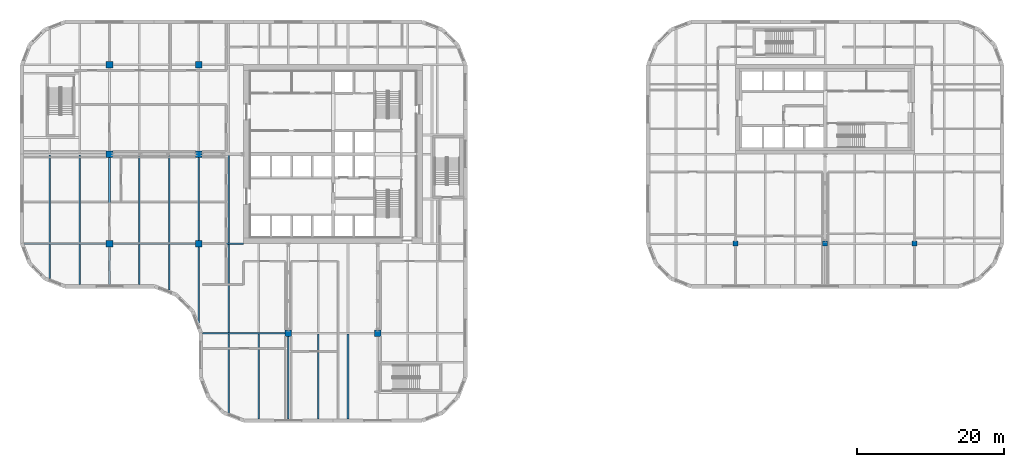
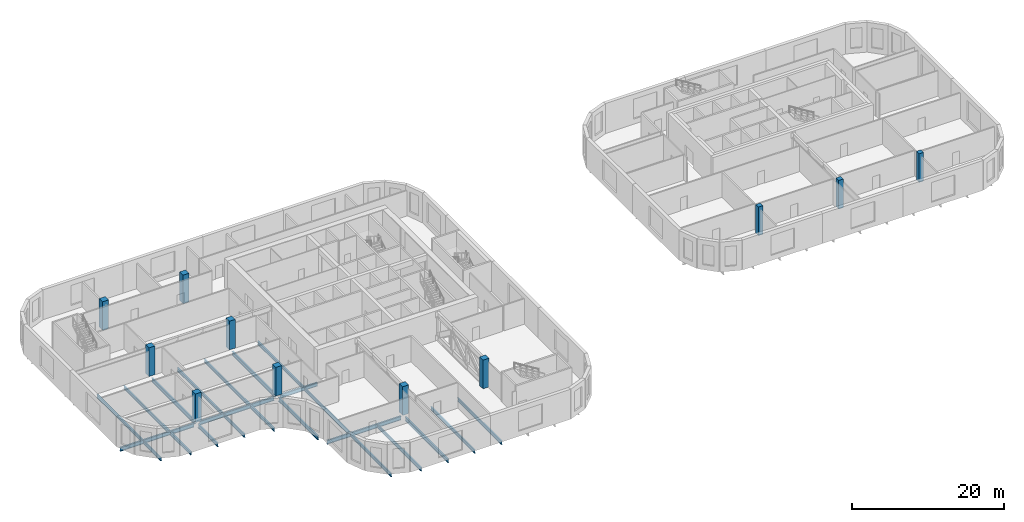
# One storey, part 1 of 21: 23 beams, 11 columns.
"""IFC4 building model written with IfcOpenShell, lengths in metres."""

from ifc_helpers import new_model, si_unit, direction, frame, origin, origin_2d, place, context, subcontext, project, spatial, rectangle, i_section, extrude, material, material_profile, profile_set, type_object, element, save


model = new_model("IFC4")

# Units and contexts
model_context = context("Model", 3, precision=1e-05, world=origin(), true_north=direction((0.0, 1.0)))
body_context = subcontext(model_context, "Body", "Model", "MODEL_VIEW")
ifc_project = project(units=[si_unit("LENGTHUNIT", "METRE"), si_unit("AREAUNIT", "SQUARE_METRE"), si_unit("VOLUMEUNIT", "CUBIC_METRE"), si_unit("PLANEANGLEUNIT", "RADIAN"), si_unit("MASSUNIT", "GRAM", prefix="KILO")], contexts=[model_context])

# Site, building, storey
site_placement = place(None, origin())
site = spatial("IfcSite", under=ifc_project, at=site_placement, CompositionType="ELEMENT")
building_placement = place(site_placement, origin())
building = spatial("IfcBuilding", under=site, at=building_placement, Name="Tessera Gate Towers", CompositionType="ELEMENT")
storey_placement = place(building_placement, frame((0.0, 0.0, 63.800048828125)))
storey = spatial("IfcBuildingStorey", under=building, at=storey_placement, Name="L15", CompositionType="ELEMENT", Elevation=63.800048828125)

# Columns
ifc_material_1 = material(Name="Concrete C70/85", Category="concrete")
ifc_material_profile_1 = material_profile(ifc_material_1, rectangle(XDim=0.699951171875, YDim=0.699951171875, at=origin_2d()), Name="RC 700x700")
ifc_profile_set_1 = profile_set([ifc_material_profile_1], Name="Concrete C70/85")
column_type_1 = type_object("IfcColumnType", Name="COLUMN RC 700x700", PredefinedType="COLUMN", material=ifc_profile_set_1)
for number, where, z_axis, x_axis, name in (
    (1, (97.60009765625, 24.39990234375, 0.0), (0.0, 0.0, 1.0), (1.0, 0.0, 0.0), "T2-COL-9C-L15"),
    (2, (109.800048828125, 24.39990234375, 0.0), (0.0, 0.0, 1.0), (1.0, 0.0, 0.0), "T2-COL-10C-L15"),
    (3, (122.0, 24.39990234375, 0.0), (0.0, 0.0, 1.0), (1.0, 0.0, 0.0), "T2-COL-11C-L15"),
):
    element("IfcColumn", number, at=place(storey_placement, frame(where, z_axis=z_axis, x_axis=x_axis)), inside=storey, type_object=column_type_1, Name=name, PredefinedType="COLUMN", context=body_context, shape_type="SweptSolid", body=[
        extrude(rectangle(XDim=0.699951171875, YDim=0.699951171875, at=origin_2d()), origin(), (0.0, 0.0, 1.0), 4.599853515625),
    ])
ifc_material_2 = material(Name="Concrete C70/85", Category="concrete")
ifc_material_profile_2 = material_profile(ifc_material_2, rectangle(XDim=0.89990234375, YDim=0.89990234375, at=origin_2d()), Name="RC 900x900")
ifc_profile_set_2 = profile_set([ifc_material_profile_2], Name="Concrete C70/85")
column_type_2 = type_object("IfcColumnType", Name="COLUMN RC 900x900", PredefinedType="COLUMN", material=ifc_profile_set_2)
for number, where, z_axis, x_axis, name in (
    (4, (12.199951171875, 24.39990234375, 0.0), (0.0, 0.0, 1.0), (1.0, 0.0, 0.0), "T1-COL-2C-L15"),
    (5, (12.199951171875, 36.60009765625, 0.0), (0.0, 0.0, 1.0), (1.0, 0.0, 0.0), "T1-COL-2D-L15"),
    (6, (12.199951171875, 48.800048828125, 0.0), (0.0, 0.0, 1.0), (1.0, 0.0, 0.0), "T1-COL-2E-L15"),
    (7, (24.39990234375, 24.39990234375, 0.0), (0.0, 0.0, 1.0), (1.0, 0.0, 0.0), "T1-COL-3C-L15"),
    (8, (24.39990234375, 36.60009765625, 0.0), (0.0, 0.0, 1.0), (1.0, 0.0, 0.0), "T1-COL-3D-L15"),
    (9, (24.39990234375, 48.800048828125, 0.0), (0.0, 0.0, 1.0), (1.0, 0.0, 0.0), "T1-COL-3E-L15"),
    (10, (36.60009765625, 12.199951171875, 0.0), (0.0, 0.0, 1.0), (1.0, 0.0, 0.0), "T1-COL-4B-L15"),
    (11, (48.800048828125, 12.199951171875, 0.0), (0.0, 0.0, 1.0), (1.0, 0.0, 0.0), "T1-COL-5B-L15"),
):
    element("IfcColumn", number, at=place(storey_placement, frame(where, z_axis=z_axis, x_axis=x_axis)), inside=storey, type_object=column_type_2, Name=name, PredefinedType="COLUMN", context=body_context, shape_type="SweptSolid", body=[
        extrude(rectangle(XDim=0.89990234375, YDim=0.89990234375, at=origin_2d()), origin(), (0.0, 0.0, 1.0), 4.599853515625),
    ])

# Beams
ifc_material_3 = material(Name="Steel 350W", Category="steel")
ifc_material_profile_3 = material_profile(ifc_material_3, i_section(OverallWidth=0.22900390625, OverallDepth=0.612060546875, WebThickness=0.011962890625, FlangeThickness=0.01953125, at=origin_2d()), Name="W610x125")
ifc_profile_set_3 = profile_set([ifc_material_profile_3], Name="Steel 350W")
beam_type_1 = type_object("IfcBeamType", Name="FLOOR GIRDER W610x125", PredefinedType="BEAM", material=ifc_profile_set_3)
beam_1_placement = place(storey_placement, frame((24.89892578125, 12.199951171875, -0.60595703125), z_axis=(1.0, 0.0, 0.0), x_axis=(0.0, 1.0, 0.0)))
element("IfcBeam", 12, at=beam_1_placement, inside=storey, type_object=beam_type_1, Name="T1-GD-L15-2109", PredefinedType="BEAM", context=body_context, shape_type="SweptSolid", body=[
    extrude(i_section(OverallWidth=0.22900390625, OverallDepth=0.612060546875, WebThickness=0.011962890625, FlangeThickness=0.01953125, at=origin_2d()), origin(), (0.0, 0.0, 1.0), 11.2509765625),
])
beam_2_placement = place(storey_placement, frame((0.534912109375, 24.39990234375, -0.60595703125), z_axis=(1.0, 0.0, 0.0), x_axis=(0.0, 1.0, 0.0)))
element("IfcBeam", 13, at=beam_2_placement, inside=storey, type_object=beam_type_1, Name="T1-GD-L15-2112", PredefinedType="BEAM", context=body_context, shape_type="SweptSolid", body=[
    extrude(i_section(OverallWidth=0.22900390625, OverallDepth=0.612060546875, WebThickness=0.011962890625, FlangeThickness=0.01953125, at=origin_2d()), origin(), (0.0, 0.0, 1.0), 11.215087890625),
])
beam_3_placement = place(storey_placement, frame((12.64990234375, 24.39990234375, -0.60595703125), z_axis=(1.0, 0.0, 0.0), x_axis=(0.0, 1.0, 0.0)))
element("IfcBeam", 14, at=beam_3_placement, inside=storey, type_object=beam_type_1, Name="T1-GD-L15-2113", PredefinedType="BEAM", context=body_context, shape_type="SweptSolid", body=[
    extrude(i_section(OverallWidth=0.22900390625, OverallDepth=0.612060546875, WebThickness=0.011962890625, FlangeThickness=0.01953125, at=origin_2d()), origin(), (0.0, 0.0, 1.0), 11.300048828125),
])
beam_4_placement = place(storey_placement, frame((24.85009765625, 24.39990234375, -0.60595703125), z_axis=(1.0, 0.0, 0.0), x_axis=(0.0, 1.0, 0.0)))
element("IfcBeam", 15, at=beam_4_placement, inside=storey, type_object=beam_type_1, Name="T1-GD-L15-2114", PredefinedType="BEAM", context=body_context, shape_type="SweptSolid", body=[
    extrude(i_section(OverallWidth=0.22900390625, OverallDepth=0.612060546875, WebThickness=0.011962890625, FlangeThickness=0.01953125, at=origin_2d()), origin(), (0.0, 0.0, 1.0), 5.64892578125),
])
beam_5_placement = place(storey_placement, frame((12.199951171875, 18.799072265625, -0.60595703125), z_axis=(0.0, 1.0, 0.0), x_axis=(-1.0, 0.0, 0.0)))
element("IfcBeam", 16, at=beam_5_placement, inside=storey, type_object=beam_type_1, Name="T1-GD-L15-2124", PredefinedType="BEAM", context=body_context, shape_type="SweptSolid", body=[
    extrude(i_section(OverallWidth=0.22900390625, OverallDepth=0.612060546875, WebThickness=0.011962890625, FlangeThickness=0.01953125, at=origin_2d()), origin(), (0.0, 0.0, 1.0), 5.15087890625),
])
beam_6_placement = place(storey_placement, frame((12.199951171875, 24.85009765625, -0.60595703125), z_axis=(0.0, 1.0, 0.0), x_axis=(-1.0, 0.0, 0.0)))
element("IfcBeam", 17, at=beam_6_placement, inside=storey, type_object=beam_type_1, Name="T1-GD-L15-2125", PredefinedType="BEAM", context=body_context, shape_type="SweptSolid", body=[
    extrude(i_section(OverallWidth=0.22900390625, OverallDepth=0.612060546875, WebThickness=0.011962890625, FlangeThickness=0.01953125, at=origin_2d()), origin(), (0.0, 0.0, 1.0), 11.2998046875),
])
beam_7_placement = place(storey_placement, frame((24.39990234375, 13.58642578125, -0.60595703125), z_axis=(0.0, 1.0, 0.0), x_axis=(-1.0, 0.0, 0.0)))
element("IfcBeam", 18, at=beam_7_placement, inside=storey, type_object=beam_type_1, Name="T1-GD-L15-2128", PredefinedType="BEAM", context=body_context, shape_type="SweptSolid", body=[
    extrude(i_section(OverallWidth=0.22900390625, OverallDepth=0.612060546875, WebThickness=0.011962890625, FlangeThickness=0.01953125, at=origin_2d()), origin(), (0.0, 0.0, 1.0), 10.363525390625),
])
beam_8_placement = place(storey_placement, frame((24.39990234375, 24.85009765625, -0.60595703125), z_axis=(0.0, 1.0, 0.0), x_axis=(-1.0, 0.0, 0.0)))
element("IfcBeam", 19, at=beam_8_placement, inside=storey, type_object=beam_type_1, Name="T1-GD-L15-2129", PredefinedType="BEAM", context=body_context, shape_type="SweptSolid", body=[
    extrude(i_section(OverallWidth=0.22900390625, OverallDepth=0.612060546875, WebThickness=0.011962890625, FlangeThickness=0.01953125, at=origin_2d()), origin(), (0.0, 0.0, 1.0), 11.2998046875),
])
beam_9_placement = place(storey_placement, frame((36.60009765625, 0.4990234375, -0.60595703125), z_axis=(0.0, 1.0, 0.0), x_axis=(-1.0, 0.0, 0.0)))
element("IfcBeam", 20, at=beam_9_placement, inside=storey, type_object=beam_type_1, Name="T1-GD-L15-2132", PredefinedType="BEAM", context=body_context, shape_type="SweptSolid", body=[
    extrude(i_section(OverallWidth=0.22900390625, OverallDepth=0.612060546875, WebThickness=0.011962890625, FlangeThickness=0.01953125, at=origin_2d()), origin(), (0.0, 0.0, 1.0), 11.2509765625),
])
ifc_material_4 = material(Name="Steel 350W", Category="steel")
ifc_material_profile_4 = material_profile(ifc_material_4, i_section(OverallWidth=0.208984375, OverallDepth=0.528076171875, WebThickness=0.009521484375, FlangeThickness=0.01318359375, at=origin_2d()), Name="W530x82")
ifc_profile_set_4 = profile_set([ifc_material_profile_4], Name="Steel 350W")
beam_type_2 = type_object("IfcBeamType", Name="FLOOR SECONDARY W530x82", PredefinedType="BEAM", material=ifc_profile_set_4)
beam_10_placement = place(storey_placement, frame((4.066650390625, 19.620361328125, -0.56396484375), z_axis=(0.0, 1.0, 0.0), x_axis=(-1.0, 0.0, 0.0)))
element("IfcBeam", 21, at=beam_10_placement, inside=storey, type_object=beam_type_2, Name="T1-BM-L15-2143", PredefinedType="BEAM", context=body_context, shape_type="SweptSolid", body=[
    extrude(i_section(OverallWidth=0.208984375, OverallDepth=0.528076171875, WebThickness=0.009521484375, FlangeThickness=0.01318359375, at=origin_2d()), origin(), (0.0, 0.0, 1.0), 4.6650390625),
])
beam_11_placement = place(storey_placement, frame((4.066650390625, 24.514404296875, -0.56396484375), z_axis=(0.0, 1.0, 0.0), x_axis=(-1.0, 0.0, 0.0)))
element("IfcBeam", 22, at=beam_11_placement, inside=storey, type_object=beam_type_2, Name="T1-BM-L15-2144", PredefinedType="BEAM", context=body_context, shape_type="SweptSolid", body=[
    extrude(i_section(OverallWidth=0.208984375, OverallDepth=0.528076171875, WebThickness=0.009521484375, FlangeThickness=0.01318359375, at=origin_2d()), origin(), (0.0, 0.0, 1.0), 11.97119140625),
])
beam_12_placement = place(storey_placement, frame((8.13330078125, 18.800048828125, -0.56396484375), z_axis=(0.0, 1.0, 0.0), x_axis=(-1.0, 0.0, 0.0)))
element("IfcBeam", 23, at=beam_12_placement, inside=storey, type_object=beam_type_2, Name="T1-BM-L15-2147", PredefinedType="BEAM", context=body_context, shape_type="SweptSolid", body=[
    extrude(i_section(OverallWidth=0.208984375, OverallDepth=0.528076171875, WebThickness=0.009521484375, FlangeThickness=0.01318359375, at=origin_2d()), origin(), (0.0, 0.0, 1.0), 5.4853515625),
])
beam_13_placement = place(storey_placement, frame((8.13330078125, 24.514404296875, -0.56396484375), z_axis=(0.0, 1.0, 0.0), x_axis=(-1.0, 0.0, 0.0)))
element("IfcBeam", 24, at=beam_13_placement, inside=storey, type_object=beam_type_2, Name="T1-BM-L15-2148", PredefinedType="BEAM", context=body_context, shape_type="SweptSolid", body=[
    extrude(i_section(OverallWidth=0.208984375, OverallDepth=0.528076171875, WebThickness=0.009521484375, FlangeThickness=0.01318359375, at=origin_2d()), origin(), (0.0, 0.0, 1.0), 11.97119140625),
])
beam_14_placement = place(storey_placement, frame((16.2666015625, 18.800048828125, -0.56396484375), z_axis=(0.0, 1.0, 0.0), x_axis=(-1.0, 0.0, 0.0)))
element("IfcBeam", 25, at=beam_14_placement, inside=storey, type_object=beam_type_2, Name="T1-BM-L15-2151", PredefinedType="BEAM", context=body_context, shape_type="SweptSolid", body=[
    extrude(i_section(OverallWidth=0.208984375, OverallDepth=0.528076171875, WebThickness=0.009521484375, FlangeThickness=0.01318359375, at=origin_2d()), origin(), (0.0, 0.0, 1.0), 5.4853515625),
])
beam_15_placement = place(storey_placement, frame((16.2666015625, 24.514404296875, -0.56396484375), z_axis=(0.0, 1.0, 0.0), x_axis=(-1.0, 0.0, 0.0)))
element("IfcBeam", 26, at=beam_15_placement, inside=storey, type_object=beam_type_2, Name="T1-BM-L15-2152", PredefinedType="BEAM", context=body_context, shape_type="SweptSolid", body=[
    extrude(i_section(OverallWidth=0.208984375, OverallDepth=0.528076171875, WebThickness=0.009521484375, FlangeThickness=0.01318359375, at=origin_2d()), origin(), (0.0, 0.0, 1.0), 11.97119140625),
])
beam_16_placement = place(storey_placement, frame((20.333251953125, 18.051513671875, -0.56396484375), z_axis=(0.0, 1.0, 0.0), x_axis=(-1.0, 0.0, 0.0)))
element("IfcBeam", 27, at=beam_16_placement, inside=storey, type_object=beam_type_2, Name="T1-BM-L15-2155", PredefinedType="BEAM", context=body_context, shape_type="SweptSolid", body=[
    extrude(i_section(OverallWidth=0.208984375, OverallDepth=0.528076171875, WebThickness=0.009521484375, FlangeThickness=0.01318359375, at=origin_2d()), origin(), (0.0, 0.0, 1.0), 6.23388671875),
])
beam_17_placement = place(storey_placement, frame((20.333251953125, 24.514404296875, -0.56396484375), z_axis=(0.0, 1.0, 0.0), x_axis=(-1.0, 0.0, 0.0)))
element("IfcBeam", 28, at=beam_17_placement, inside=storey, type_object=beam_type_2, Name="T1-BM-L15-2156", PredefinedType="BEAM", context=body_context, shape_type="SweptSolid", body=[
    extrude(i_section(OverallWidth=0.208984375, OverallDepth=0.528076171875, WebThickness=0.009521484375, FlangeThickness=0.01318359375, at=origin_2d()), origin(), (0.0, 0.0, 1.0), 11.97119140625),
])
beam_18_placement = place(storey_placement, frame((28.466796875, 1.3203125, -0.56396484375), z_axis=(0.0, 1.0, 0.0), x_axis=(-1.0, 0.0, 0.0)))
element("IfcBeam", 29, at=beam_18_placement, inside=storey, type_object=beam_type_2, Name="T1-BM-L15-2159", PredefinedType="BEAM", context=body_context, shape_type="SweptSolid", body=[
    extrude(i_section(OverallWidth=0.208984375, OverallDepth=0.528076171875, WebThickness=0.009521484375, FlangeThickness=0.01318359375, at=origin_2d()), origin(), (0.0, 0.0, 1.0), 10.76513671875),
])
beam_19_placement = place(storey_placement, frame((28.466796875, 12.314453125, -0.56396484375), z_axis=(0.0, 1.0, 0.0), x_axis=(-1.0, 0.0, 0.0)))
element("IfcBeam", 30, at=beam_19_placement, inside=storey, type_object=beam_type_2, Name="T1-BM-L15-2160", PredefinedType="BEAM", context=body_context, shape_type="SweptSolid", body=[
    extrude(i_section(OverallWidth=0.208984375, OverallDepth=0.528076171875, WebThickness=0.009521484375, FlangeThickness=0.01318359375, at=origin_2d()), origin(), (0.0, 0.0, 1.0), 11.970947265625),
])
beam_20_placement = place(storey_placement, frame((28.466796875, 24.514404296875, -0.56396484375), z_axis=(0.0, 1.0, 0.0), x_axis=(-1.0, 0.0, 0.0)))
element("IfcBeam", 31, at=beam_20_placement, inside=storey, type_object=beam_type_2, Name="T1-BM-L15-2161", PredefinedType="BEAM", context=body_context, shape_type="SweptSolid", body=[
    extrude(i_section(OverallWidth=0.208984375, OverallDepth=0.528076171875, WebThickness=0.009521484375, FlangeThickness=0.01318359375, at=origin_2d()), origin(), (0.0, 0.0, 1.0), 11.97119140625),
])
for number, where, z_axis, x_axis, name in (
    (32, (32.533203125, 0.5, -0.56396484375), (0.0, 1.0, 0.0), (-1.0, 0.0, 0.0), "T1-BM-L15-2164"),
    (33, (40.666748046875, 0.5, -0.56396484375), (0.0, 1.0, 0.0), (-1.0, 0.0, 0.0), "T1-BM-L15-2168"),
    (34, (44.7333984375, 0.5, -0.56396484375), (0.0, 1.0, 0.0), (-1.0, 0.0, 0.0), "T1-BM-L15-2171"),
):
    element("IfcBeam", number, at=place(storey_placement, frame(where, z_axis=z_axis, x_axis=x_axis)), inside=storey, type_object=beam_type_2, Name=name, PredefinedType="BEAM", context=body_context, shape_type="SweptSolid", body=[
        extrude(i_section(OverallWidth=0.208984375, OverallDepth=0.528076171875, WebThickness=0.009521484375, FlangeThickness=0.01318359375, at=origin_2d()), origin(), (0.0, 0.0, 1.0), 11.58544921875),
    ])

save(model, "model.ifc")
